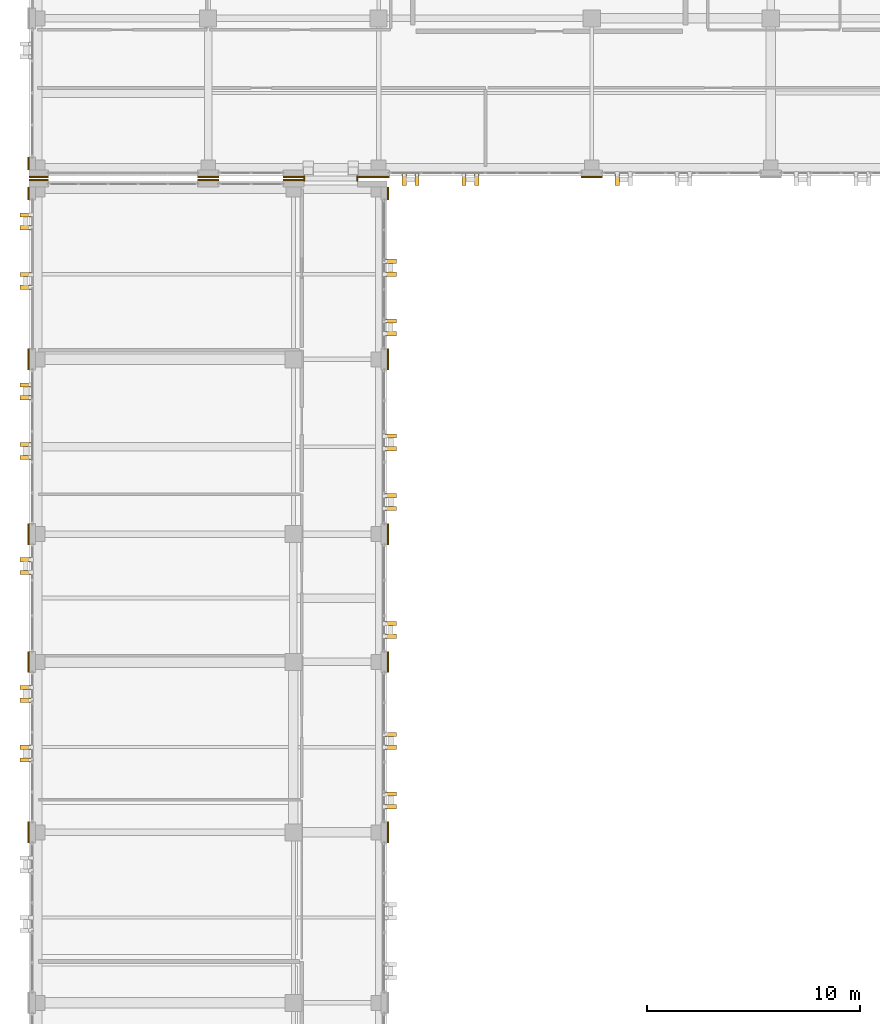
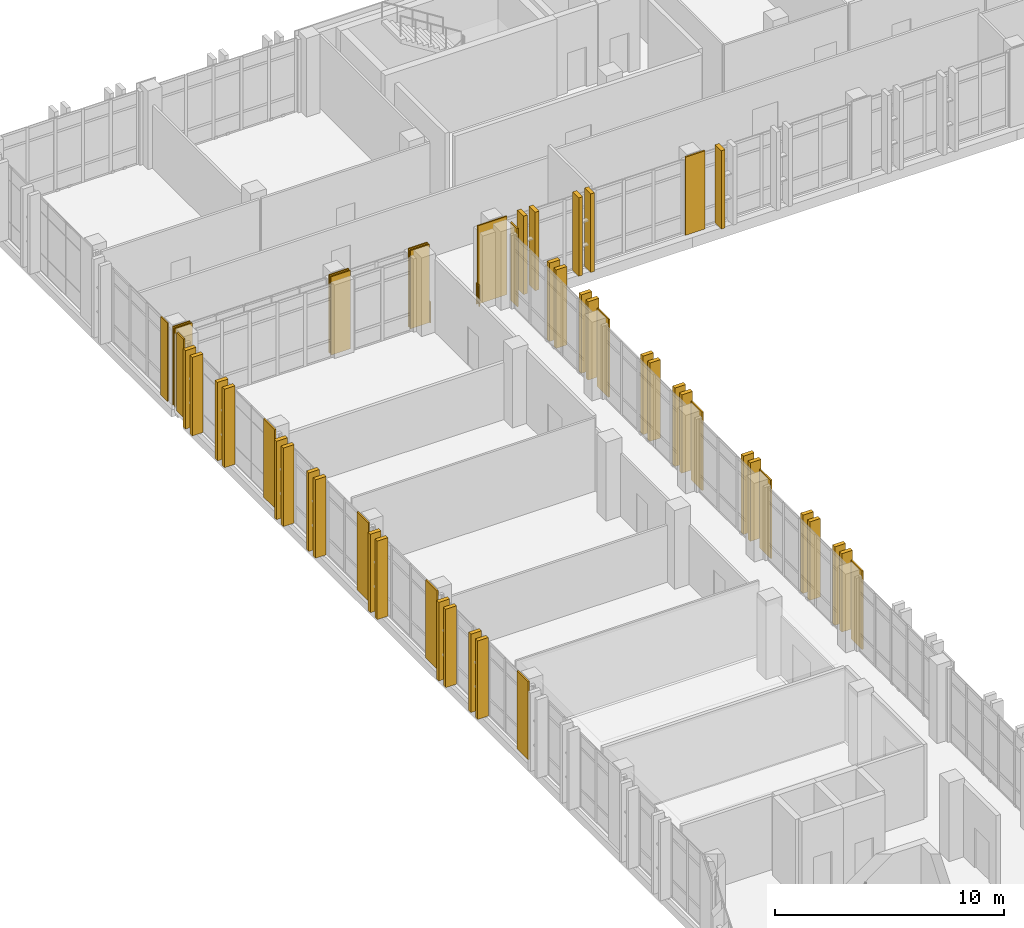
# One storey, part 155 of 165: 52 coverings, 2 railings.
"""IFC4 building model written with IfcOpenShell, lengths in metres."""

from ifc_helpers import new_model, si_unit, direction, frame, origin, origin_2d, place, context, subcontext, project, spatial, rectangle, circle, extrude, material, layer, layer_set, type_object, element, save


model = new_model("IFC4")

# Units and contexts
model_context = context("Model", 3, precision=1e-05, world=origin(), true_north=direction((0.0, 1.0)))
body_context = subcontext(model_context, "Body", "Model", "MODEL_VIEW")
ifc_project = project(units=[si_unit("LENGTHUNIT", "METRE"), si_unit("AREAUNIT", "SQUARE_METRE"), si_unit("VOLUMEUNIT", "CUBIC_METRE"), si_unit("PLANEANGLEUNIT", "RADIAN"), si_unit("MASSUNIT", "GRAM", prefix="KILO")], contexts=[model_context])

# Site, building, storey
site_placement = place(None, origin())
site = spatial("IfcSite", under=ifc_project, at=site_placement, CompositionType="ELEMENT")
building_placement = place(site_placement, origin())
building = spatial("IfcBuilding", under=site, at=building_placement, Name="Qalavern Law Courts", CompositionType="ELEMENT")
storey_placement = place(building_placement, frame((0.0, 0.0, 14.39990234375)))
storey = spatial("IfcBuildingStorey", under=building, at=storey_placement, Name="L03", CompositionType="ELEMENT", Elevation=14.39990234375)

# Railings
ifc_material_1 = material(Name="Steel S355", Category="steel")
railing_type = type_object("IfcRailingType", Name="ENV-BAL-1120", PredefinedType="BALUSTRADE", material=ifc_material_1)
for number, where, name in (
    (1, (14.909912109375, 95.97998046875, 0.0), "Bridge BR-V3-V5 joint guard L03-1"),
    (2, (17.389892578125, 95.97998046875, 0.0), "Bridge BR-V3-V5 joint guard L03-2"),
):
    element("IfcRailing", number, at=place(storey_placement, frame(where)), inside=storey, type_object=railing_type, Name=name, PredefinedType="BALUSTRADE", context=body_context, shape_type="SweptSolid", body=[
        extrude(circle(Radius=0.02392578125, at=origin_2d()), frame((0.0, 0.0, 1.09619140625), z_axis=(0.0, 1.0, 0.0), x_axis=(-1.0, 0.0, 0.0)), (0.0, 0.0, 1.0), 0.219970703125),
        extrude(circle(Radius=0.02099609375, at=origin_2d()), origin(), (0.0, 0.0, 1.0), 1.072021484375),
        extrude(circle(Radius=0.02099609375, at=origin_2d()), frame((0.0, 0.219970703125, 0.0)), (0.0, 0.0, 1.0), 1.072021484375),
    ])

# Coverings
ifc_material_2 = material(Name="Precast concrete C40/50", Category="concrete")
ifc_layer_1 = layer(ifc_material_2, 0.199951171875)
ifc_layer_set_1 = layer_set([ifc_layer_1], Name="Precast concrete C40/50")
covering_type_1 = type_object("IfcCoveringType", Name="ENV-BLD-1", PredefinedType="CLADDING", material=ifc_layer_set_1)
for number, where, z_axis, x_axis, name in (
    (3, (18.96240234375, 66.60009765625, 0.005126953125), (0.0, 0.0, 1.0), (1.0, 0.0, 0.0), "Absheron stone facade blade 0313"),
    (4, (18.96240234375, 67.199951171875, 0.005126953125), (0.0, 0.0, 1.0), (1.0, 0.0, 0.0), "Absheron stone facade blade 0314"),
    (5, (18.96240234375, 69.39990234375, 0.005126953125), (0.0, 0.0, 1.0), (1.0, 0.0, 0.0), "Absheron stone facade blade 0315"),
    (6, (18.96240234375, 70.0, 0.005126953125), (0.0, 0.0, 1.0), (1.0, 0.0, 0.0), "Absheron stone facade blade 0316"),
    (7, (18.96240234375, 74.60009765625, 0.005126953125), (0.0, 0.0, 1.0), (1.0, 0.0, 0.0), "Absheron stone facade blade 0317"),
    (8, (18.96240234375, 75.199951171875, 0.005126953125), (0.0, 0.0, 1.0), (1.0, 0.0, 0.0), "Absheron stone facade blade 0318"),
    (9, (18.96240234375, 80.60009765625, 0.005126953125), (0.0, 0.0, 1.0), (1.0, 0.0, 0.0), "Absheron stone facade blade 0319"),
    (10, (18.96240234375, 81.199951171875, 0.005126953125), (0.0, 0.0, 1.0), (1.0, 0.0, 0.0), "Absheron stone facade blade 0320"),
    (11, (18.96240234375, 83.39990234375, 0.005126953125), (0.0, 0.0, 1.0), (1.0, 0.0, 0.0), "Absheron stone facade blade 0321"),
    (12, (18.96240234375, 84.0, 0.005126953125), (0.0, 0.0, 1.0), (1.0, 0.0, 0.0), "Absheron stone facade blade 0322"),
    (13, (18.96240234375, 88.800048828125, 0.005126953125), (0.0, 0.0, 1.0), (1.0, 0.0, 0.0), "Absheron stone facade blade 0323"),
    (14, (18.96240234375, 89.39990234375, 0.005126953125), (0.0, 0.0, 1.0), (1.0, 0.0, 0.0), "Absheron stone facade blade 0324"),
    (15, (18.96240234375, 91.60009765625, 0.005126953125), (0.0, 0.0, 1.0), (1.0, 0.0, 0.0), "Absheron stone facade blade 0325"),
    (16, (18.96240234375, 92.199951171875, 0.005126953125), (0.0, 0.0, 1.0), (1.0, 0.0, 0.0), "Absheron stone facade blade 0326"),
    (17, (1.83740234375, 94.3798828125, 0.005126953125), (0.0, 0.0, 1.0), (-1.0, 0.0, 0.0), "Absheron stone facade blade 0327"),
    (18, (1.83740234375, 93.780029296875, 0.005126953125), (0.0, 0.0, 1.0), (-1.0, 0.0, 0.0), "Absheron stone facade blade 0328"),
    (19, (1.83740234375, 91.580078125, 0.005126953125), (0.0, 0.0, 1.0), (-1.0, 0.0, 0.0), "Absheron stone facade blade 0329"),
    (20, (1.83740234375, 90.97998046875, 0.005126953125), (0.0, 0.0, 1.0), (-1.0, 0.0, 0.0), "Absheron stone facade blade 0330"),
    (21, (1.83740234375, 86.39990234375, 0.005126953125), (0.0, 0.0, 1.0), (-1.0, 0.0, 0.0), "Absheron stone facade blade 0331"),
    (22, (1.83740234375, 85.800048828125, 0.005126953125), (0.0, 0.0, 1.0), (-1.0, 0.0, 0.0), "Absheron stone facade blade 0332"),
    (23, (1.83740234375, 83.60009765625, 0.005126953125), (0.0, 0.0, 1.0), (-1.0, 0.0, 0.0), "Absheron stone facade blade 0333"),
    (24, (1.83740234375, 83.0, 0.005126953125), (0.0, 0.0, 1.0), (-1.0, 0.0, 0.0), "Absheron stone facade blade 0334"),
    (25, (1.83740234375, 78.199951171875, 0.005126953125), (0.0, 0.0, 1.0), (-1.0, 0.0, 0.0), "Absheron stone facade blade 0335"),
    (26, (1.83740234375, 77.60009765625, 0.005126953125), (0.0, 0.0, 1.0), (-1.0, 0.0, 0.0), "Absheron stone facade blade 0336"),
    (27, (1.83740234375, 72.199951171875, 0.005126953125), (0.0, 0.0, 1.0), (-1.0, 0.0, 0.0), "Absheron stone facade blade 0337"),
    (28, (1.83740234375, 71.60009765625, 0.005126953125), (0.0, 0.0, 1.0), (-1.0, 0.0, 0.0), "Absheron stone facade blade 0338"),
    (29, (1.83740234375, 69.39990234375, 0.005126953125), (0.0, 0.0, 1.0), (-1.0, 0.0, 0.0), "Absheron stone facade blade 0339"),
    (30, (1.83740234375, 68.800048828125, 0.005126953125), (0.0, 0.0, 1.0), (-1.0, 0.0, 0.0), "Absheron stone facade blade 0340"),
    (31, (19.60009765625, 96.03759765625, 0.005126953125), (0.0, 0.0, 1.0), (0.0, -1.0, 0.0), "Absheron stone facade blade 1009"),
    (32, (20.199951171875, 96.03759765625, 0.005126953125), (0.0, 0.0, 1.0), (0.0, -1.0, 0.0), "Absheron stone facade blade 1010"),
    (33, (22.39990234375, 96.03759765625, 0.005126953125), (0.0, 0.0, 1.0), (0.0, -1.0, 0.0), "Absheron stone facade blade 1011"),
    (34, (23.0, 96.03759765625, 0.005126953125), (0.0, 0.0, 1.0), (0.0, -1.0, 0.0), "Absheron stone facade blade 1012"),
    (35, (29.60009765625, 96.03759765625, 0.005126953125), (0.0, 0.0, 1.0), (0.0, -1.0, 0.0), "Absheron stone facade blade 1013"),
):
    element("IfcCovering", number, at=place(storey_placement, frame(where, z_axis=z_axis, x_axis=x_axis)), inside=storey, type_object=covering_type_1, Name=name, PredefinedType="CLADDING", context=body_context, shape_type="SweptSolid", body=[
        extrude(rectangle(XDim=0.5400390625, YDim=0.199951171875, at=origin_2d()), origin(), (0.0, 0.0, 1.0), 4.18994140625),
    ])
ifc_layer_2 = layer(ifc_material_2, 0.072021484375)
ifc_layer_set_2 = layer_set([ifc_layer_2], Name="Precast concrete C40/50")
covering_type_2 = type_object("IfcCoveringType", Name="ENV-CLD-2", PredefinedType="CLADDING", material=ifc_layer_set_2)
for number, where, z_axis, x_axis, name in (
    (36, (18.8330078125, 65.39990234375, 0.01025390625), (0.0, 0.0, 1.0), (0.0, 1.0, 0.0), "V3 Absheron limestone pier facing L03 east 4"),
    (37, (18.8330078125, 73.39990234375, 0.01025390625), (0.0, 0.0, 1.0), (0.0, 1.0, 0.0), "V3 Absheron limestone pier facing L03 east 5"),
    (38, (18.8330078125, 79.39990234375, 0.01025390625), (0.0, 0.0, 1.0), (0.0, 1.0, 0.0), "V3 Absheron limestone pier facing L03 east 6"),
    (39, (18.8330078125, 87.60009765625, 0.01025390625), (0.0, 0.0, 1.0), (0.0, 1.0, 0.0), "V3 Absheron limestone pier facing L03 east 7"),
):
    element("IfcCovering", number, at=place(storey_placement, frame(where, z_axis=z_axis, x_axis=x_axis)), inside=storey, type_object=covering_type_2, Name=name, PredefinedType="CLADDING", context=body_context, shape_type="SweptSolid", body=[
        extrude(rectangle(XDim=0.97998046875, YDim=0.072021484375, at=origin_2d()), origin(), (0.0, 0.0, 1.0), 4.179931640625),
    ])
covering_1_placement = place(storey_placement, frame((18.8330078125, 95.385009765625, 0.01025390625), z_axis=(0.0, 0.0, 1.0), x_axis=(0.0, 1.0, 0.0)))
element("IfcCovering", 40, at=covering_1_placement, inside=storey, type_object=covering_type_2, Name="V3 Absheron limestone pier facing L03 east 8", PredefinedType="CLADDING", context=body_context, shape_type="SweptSolid", body=[
    extrude(rectangle(XDim=0.590087890625, YDim=0.072021484375, at=origin_2d()), origin(), (0.0, 0.0, 1.0), 4.179931640625),
])
for number, where, z_axis, x_axis, name in (
    (41, (14.39990234375, 96.012939453125, 0.01025390625), (0.0, 0.0, 1.0), (-1.0, 0.0, 0.0), "V3 Absheron limestone pier facing L03 north 1"),
    (42, (10.39990234375, 96.012939453125, 0.01025390625), (0.0, 0.0, 1.0), (-1.0, 0.0, 0.0), "V3 Absheron limestone pier facing L03 north 2"),
):
    element("IfcCovering", number, at=place(storey_placement, frame(where, z_axis=z_axis, x_axis=x_axis)), inside=storey, type_object=covering_type_2, Name=name, PredefinedType="CLADDING", context=body_context, shape_type="SweptSolid", body=[
        extrude(rectangle(XDim=0.97998046875, YDim=0.072021484375, at=origin_2d()), origin(), (0.0, 0.0, 1.0), 4.179931640625),
    ])
covering_2_placement = place(storey_placement, frame((2.449951171875, 96.012939453125, 0.01025390625), z_axis=(0.0, 0.0, 1.0), x_axis=(-1.0, 0.0, 0.0)))
element("IfcCovering", 43, at=covering_2_placement, inside=storey, type_object=covering_type_2, Name="V3 Absheron limestone pier facing L03 north 3", PredefinedType="CLADDING", context=body_context, shape_type="SweptSolid", body=[
    extrude(rectangle(XDim=0.8798828125, YDim=0.072021484375, at=origin_2d()), origin(), (0.0, 0.0, 1.0), 4.179931640625),
])
covering_3_placement = place(storey_placement, frame((1.967041015625, 95.385009765625, 0.01025390625), z_axis=(0.0, 0.0, 1.0), x_axis=(0.0, -1.0, 0.0)))
element("IfcCovering", 44, at=covering_3_placement, inside=storey, type_object=covering_type_2, Name="V3 Absheron limestone pier facing L03 west 1", PredefinedType="CLADDING", context=body_context, shape_type="SweptSolid", body=[
    extrude(rectangle(XDim=0.590087890625, YDim=0.072021484375, at=origin_2d()), origin(), (0.0, 0.0, 1.0), 4.179931640625),
])
for number, where, z_axis, x_axis, name in (
    (45, (1.967041015625, 87.60009765625, 0.01025390625), (0.0, 0.0, 1.0), (0.0, -1.0, 0.0), "V3 Absheron limestone pier facing L03 west 2"),
    (46, (1.967041015625, 79.39990234375, 0.01025390625), (0.0, 0.0, 1.0), (0.0, -1.0, 0.0), "V3 Absheron limestone pier facing L03 west 3"),
    (47, (1.967041015625, 73.39990234375, 0.01025390625), (0.0, 0.0, 1.0), (0.0, -1.0, 0.0), "V3 Absheron limestone pier facing L03 west 4"),
    (48, (1.967041015625, 65.39990234375, 0.01025390625), (0.0, 0.0, 1.0), (0.0, -1.0, 0.0), "V3 Absheron limestone pier facing L03 west 5"),
):
    element("IfcCovering", number, at=place(storey_placement, frame(where, z_axis=z_axis, x_axis=x_axis)), inside=storey, type_object=covering_type_2, Name=name, PredefinedType="CLADDING", context=body_context, shape_type="SweptSolid", body=[
        extrude(rectangle(XDim=0.97998046875, YDim=0.072021484375, at=origin_2d()), origin(), (0.0, 0.0, 1.0), 4.179931640625),
    ])
covering_4_placement = place(storey_placement, frame((2.449951171875, 96.1669921875, 0.01025390625), z_axis=(0.0, 0.0, 1.0), x_axis=(1.0, 0.0, 0.0)))
element("IfcCovering", 49, at=covering_4_placement, inside=storey, type_object=covering_type_2, Name="V5 Absheron limestone pier facing L03 south 1", PredefinedType="CLADDING", context=body_context, shape_type="SweptSolid", body=[
    extrude(rectangle(XDim=0.8798828125, YDim=0.072021484375, at=origin_2d()), origin(), (0.0, 0.0, 1.0), 4.179931640625),
])
for number, where, z_axis, x_axis, name in (
    (50, (10.39990234375, 96.1669921875, 0.01025390625), (0.0, 0.0, 1.0), (1.0, 0.0, 0.0), "V5 Absheron limestone pier facing L03 south 2"),
    (51, (14.39990234375, 96.1669921875, 0.01025390625), (0.0, 0.0, 1.0), (1.0, 0.0, 0.0), "V5 Absheron limestone pier facing L03 south 3"),
):
    element("IfcCovering", number, at=place(storey_placement, frame(where, z_axis=z_axis, x_axis=x_axis)), inside=storey, type_object=covering_type_2, Name=name, PredefinedType="CLADDING", context=body_context, shape_type="SweptSolid", body=[
        extrude(rectangle(XDim=0.97998046875, YDim=0.072021484375, at=origin_2d()), origin(), (0.0, 0.0, 1.0), 4.179931640625),
    ])
covering_5_placement = place(storey_placement, frame((18.14990234375, 96.1669921875, 0.01025390625), z_axis=(0.0, 0.0, 1.0), x_axis=(1.0, 0.0, 0.0)))
element("IfcCovering", 52, at=covering_5_placement, inside=storey, type_object=covering_type_2, Name="V5 Absheron limestone pier facing L03 south 1", PredefinedType="CLADDING", context=body_context, shape_type="SweptSolid", body=[
    extrude(rectangle(XDim=1.47998046875, YDim=0.072021484375, at=origin_2d()), origin(), (0.0, 0.0, 1.0), 4.179931640625),
])
covering_6_placement = place(storey_placement, frame((28.39990234375, 96.1669921875, 0.01025390625), z_axis=(0.0, 0.0, 1.0), x_axis=(1.0, 0.0, 0.0)))
element("IfcCovering", 53, at=covering_6_placement, inside=storey, type_object=covering_type_2, Name="V5 Absheron limestone pier facing L03 south 2", PredefinedType="CLADDING", context=body_context, shape_type="SweptSolid", body=[
    extrude(rectangle(XDim=0.97998046875, YDim=0.072021484375, at=origin_2d()), origin(), (0.0, 0.0, 1.0), 4.179931640625),
])
covering_7_placement = place(storey_placement, frame((1.967041015625, 96.794921875, 0.01025390625), z_axis=(0.0, 0.0, 1.0), x_axis=(0.0, -1.0, 0.0)))
element("IfcCovering", 54, at=covering_7_placement, inside=storey, type_object=covering_type_2, Name="V5 Absheron limestone pier facing L03 west 3", PredefinedType="CLADDING", context=body_context, shape_type="SweptSolid", body=[
    extrude(rectangle(XDim=0.590087890625, YDim=0.072021484375, at=origin_2d()), origin(), (0.0, 0.0, 1.0), 4.179931640625),
])

save(model, "model.ifc")
